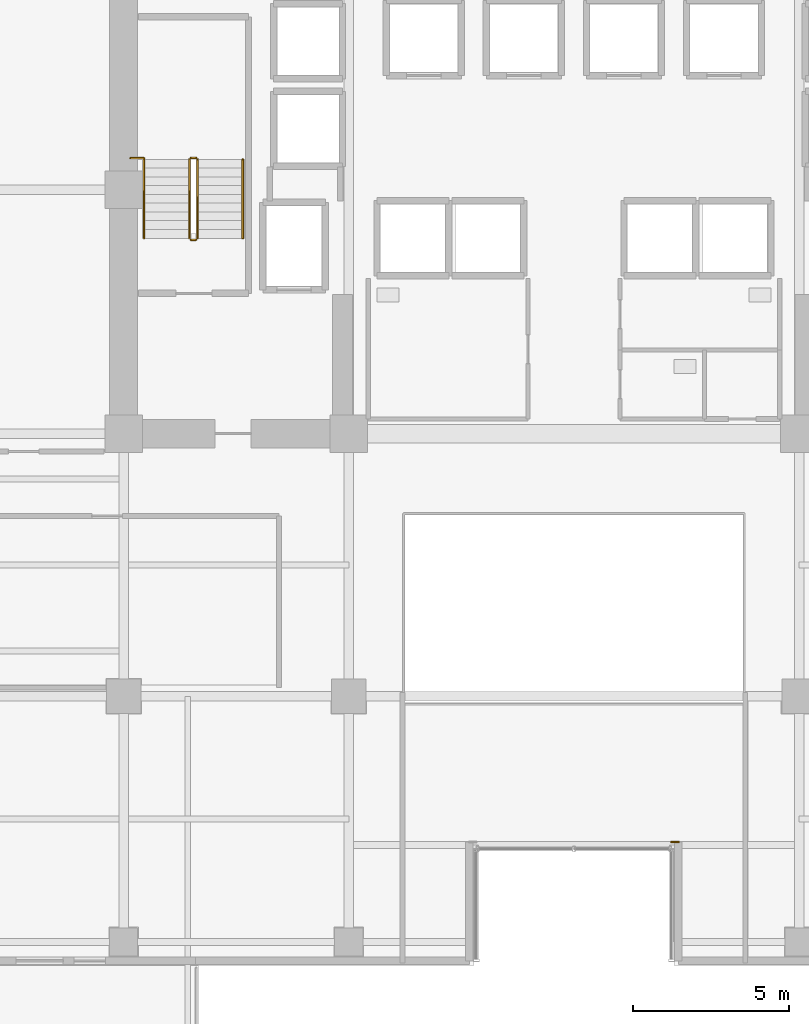
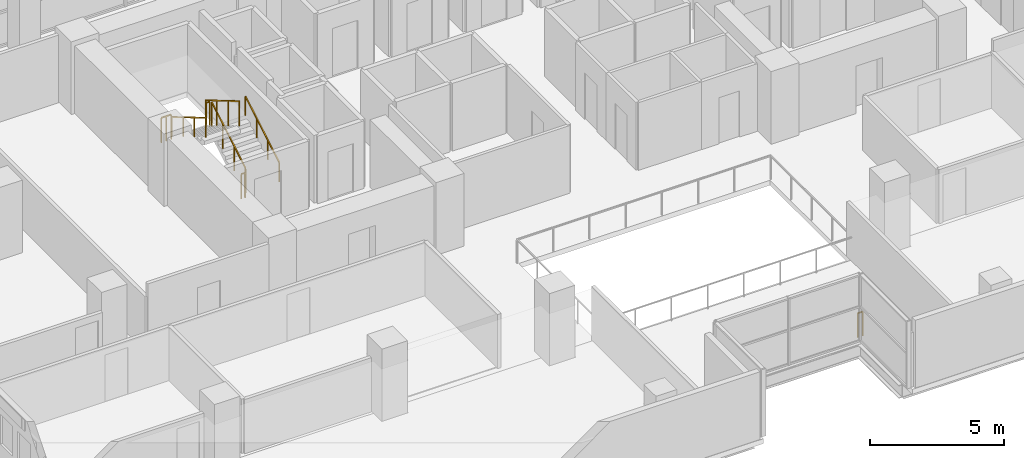
# One storey, part 29 of 32: 8 railings.
"""IFC4 building model written with IfcOpenShell, lengths in metres."""

import ifcopenshell
import ifcopenshell.guid

model = None  # the IFC model being written
_history = None  # IfcOwnerHistory: only IFC2X3 demands one
_inside = {}  # id of a spatial element -> (the spatial element, [elements in it])
_under = {}  # id of a project, library or spatial element -> (it, [spatial elements below it])
_declared = {}  # id of a project -> (the project, [libraries it declares])
_typed = {}  # id of a type object -> (the type object, [elements of that type])
_made_of = {}  # id of a material, layer set ... -> (it, [elements and type objects made of it])


def new_model(schema):
    """Start an empty IFC model of exactly this schema.

    Asked for "IFC4X3", IfcOpenShell would pick the latest addendum, in which some entities
    have other attributes; the version numbers below select the first issue.
    IFC2X3 requires an IfcOwnerHistory on every rooted entity: one is made here for all.
    """
    global model, _history
    if schema == "IFC4X3":
        model = ifcopenshell.file(schema_version=(4, 3, 0, 0))
    else:
        model = ifcopenshell.file(schema=schema)
    _inside.clear()
    _under.clear()
    _declared.clear()
    _typed.clear()
    _made_of.clear()
    _history = None
    if model.schema == "IFC2X3":
        org = make("IfcOrganization", Name="unknown")
        user = make(
            "IfcPersonAndOrganization",
            ThePerson=make("IfcPerson", FamilyName="unknown"),
            TheOrganization=org,
        )
        app = make(
            "IfcApplication",
            ApplicationDeveloper=org,
            Version="unknown",
            ApplicationFullName="unknown",
            ApplicationIdentifier="unknown",
        )
        _history = make(
            "IfcOwnerHistory",
            OwningUser=user,
            OwningApplication=app,
            ChangeAction="ADDED",
            CreationDate=0,
        )
    return model


def make(cls, **values):
    """One entity of the class cls with the attributes given. An attribute that is None is left unset."""
    return model.create_entity(
        cls, **{name: value for name, value in values.items() if value is not None}
    )


def rooted(cls, **values):
    """An entity with a GlobalId (a new one), such as an element, a storey or a relation."""
    return make(cls, GlobalId=ifcopenshell.guid.new(), OwnerHistory=_history, **values)


def si_unit(unit_type, name, prefix=None):
    """IfcSIUnit, for example si_unit("LENGTHUNIT", "METRE", prefix="MILLI")."""
    return make("IfcSIUnit", UnitType=unit_type, Prefix=prefix, Name=name)


def assignment(units):
    """IfcUnitAssignment: the units of a project."""
    return None if units is None else make("IfcUnitAssignment", Units=units)


def point(xyz):
    """IfcCartesianPoint."""
    return None if xyz is None else make("IfcCartesianPoint", Coordinates=xyz)


def direction(xyz):
    """IfcDirection."""
    return None if xyz is None else make("IfcDirection", DirectionRatios=xyz)


def frame(location, z_axis=None, x_axis=None):
    """IfcAxis2Placement3D, a coordinate frame: its origin and axes. An axis left out is left unset."""
    return make(
        "IfcAxis2Placement3D",
        Location=point(location),
        Axis=direction(z_axis),
        RefDirection=direction(x_axis),
    )


def frame_2d(location, x_axis=None):
    """IfcAxis2Placement2D, a coordinate frame in the plane: its origin and x axis."""
    return make(
        "IfcAxis2Placement2D", Location=point(location), RefDirection=direction(x_axis)
    )


def origin():
    """The frame at (0, 0, 0) with its axes left unset."""
    return frame((0.0, 0.0, 0.0))


def origin_2d():
    """The frame at (0, 0) in the plane with its x axis left unset."""
    return frame_2d((0.0, 0.0))


def place(relative_to, where):
    """IfcLocalPlacement: puts the frame where relative to a parent placement (None: the world)."""
    return make(
        "IfcLocalPlacement", PlacementRelTo=relative_to, RelativePlacement=where
    )


def context(
    kind, dimensions, precision=None, world=None, true_north=None, identifier=None
):
    """IfcGeometricRepresentationContext, for example the 3D "Model" context."""
    return make(
        "IfcGeometricRepresentationContext",
        ContextIdentifier=identifier,
        ContextType=kind,
        CoordinateSpaceDimension=dimensions,
        Precision=precision,
        WorldCoordinateSystem=world,
        TrueNorth=true_north,
    )


def subcontext(parent, identifier, kind, view, scale=None):
    """IfcGeometricRepresentationSubContext, for example "Body" below "Model"."""
    return make(
        "IfcGeometricRepresentationSubContext",
        ContextIdentifier=identifier,
        ContextType=kind,
        ParentContext=parent,
        TargetScale=scale,
        TargetView=view,
    )


def project(units=None, contexts=None):
    """IfcProject with its units and contexts."""
    return rooted(
        "IfcProject",
        Name="project",
        RepresentationContexts=contexts,
        UnitsInContext=assignment(units),
    )


def spatial(cls, under=None, at=None, **own):
    """A site, building, storey or space (cls), placed at a placement, below another one or the project."""
    s = rooted(cls, ObjectPlacement=at, **own)
    if under is not None:
        _under.setdefault(under.id(), (under, []))[1].append(s)
    return s


def profile(cls, at=None, kind="AREA", **sizes):
    """A parametric profile (cls). Its sizes go by their IFC names, for example OverallWidth=200.0."""
    return make(cls, ProfileType=kind, Position=at, **sizes)


def rectangle(**sizes):
    """IfcRectangleProfileDef."""
    return profile("IfcRectangleProfileDef", **sizes)


def extrude(swept, where, along, depth):
    """IfcExtrudedAreaSolid: the profile swept, set in the frame where, extruded along a direction by depth."""
    return make(
        "IfcExtrudedAreaSolid",
        SweptArea=swept,
        Position=where,
        ExtrudedDirection=direction(along),
        Depth=depth,
    )


def shape(context_of_items, identifier, shape_type, items):
    """IfcShapeRepresentation: the items that make up one representation, for example the "Body"."""
    return make(
        "IfcShapeRepresentation",
        ContextOfItems=context_of_items,
        RepresentationIdentifier=identifier,
        RepresentationType=shape_type,
        Items=items,
    )


def material(Name=None, Category=None):
    """IfcMaterial."""
    return make("IfcMaterial", Name=Name, Category=Category)


def made_of(thing, what):
    """Note that an element or type object is made of a material, layer set ...; save() writes the relation."""
    if what is not None:
        _made_of.setdefault(what.id(), (what, []))[1].append(thing)
    return thing


def type_object(cls, material=None, **own):
    """A type object (cls), such as IfcWallType, which elements share."""
    return made_of(rooted(cls, **own), material)


def element(
    cls,
    number,
    at=None,
    inside=None,
    cuts=None,
    type_object=None,
    material=None,
    context=None,
    identifier="Body",
    shape_type=None,
    held_by="IfcProductDefinitionShape",
    body=None,
    shapes=None,
    **own,
):
    """One element of the class cls, such as IfcWall. Its Tag is "e" and its number.

    at: its placement. inside: the storey or other place that contains it. cuts: it is an
    opening in that element (IfcRelVoidsElement). A single representation is given by context,
    identifier, shape_type and body (its items); several are given by shapes. held_by: the class
    of the entity that holds the representations. save() writes the other relations.
    """
    e = rooted(cls, Tag="e%d" % number, ObjectPlacement=at, **own)
    if body is not None:
        shapes = [shape(context, identifier, shape_type, body)]
    if shapes is not None:
        e.Representation = make(held_by, Representations=shapes)
    if inside is not None:
        _inside.setdefault(inside.id(), (inside, []))[1].append(e)
    if cuts is not None:
        rooted(
            "IfcRelVoidsElement", RelatingBuildingElement=cuts, RelatedOpeningElement=e
        )
    if type_object is not None:
        _typed.setdefault(type_object.id(), (type_object, []))[1].append(e)
    return made_of(e, material)


def aggregate(whole, parts):
    """IfcRelAggregates: a whole, such as a stair, and the parts it consists of."""
    return rooted("IfcRelAggregates", RelatingObject=whole, RelatedObjects=parts)


def save(model, path):
    """Write the relations noted so far, then the file.

    IfcRelAggregates (storeys below a building ...), IfcRelContainedInSpatialStructure (elements
    in a storey), IfcRelDefinesByType, IfcRelAssociatesMaterial and IfcRelDeclares: one each for
    every whole, place, type object, material and project.
    """
    for whole, parts in _under.values():
        aggregate(whole, parts)
    for where, things in _inside.values():
        rooted(
            "IfcRelContainedInSpatialStructure",
            RelatedElements=things,
            RelatingStructure=where,
        )
    for kind, things in _typed.values():
        rooted("IfcRelDefinesByType", RelatedObjects=things, RelatingType=kind)
    for what, things in _made_of.values():
        rooted("IfcRelAssociatesMaterial", RelatedObjects=things, RelatingMaterial=what)
    for by, libraries in _declared.values():
        rooted("IfcRelDeclares", RelatingContext=by, RelatedDefinitions=libraries)
    model.write(path)


model = new_model("IFC4")

# Units and contexts
model_context = context("Model", 3, precision=1e-05, world=origin(), true_north=direction((0.0, 1.0)))
body_context = subcontext(model_context, "Body", "Model", "MODEL_VIEW")
ifc_project = project(units=[si_unit("LENGTHUNIT", "METRE"), si_unit("AREAUNIT", "SQUARE_METRE"), si_unit("VOLUMEUNIT", "CUBIC_METRE"), si_unit("PLANEANGLEUNIT", "RADIAN"), si_unit("MASSUNIT", "GRAM", prefix="KILO")], contexts=[model_context])

# Site, building, storey
site_placement = place(None, origin())
site = spatial("IfcSite", under=ifc_project, at=site_placement, CompositionType="ELEMENT")
building_placement = place(site_placement, origin())
building = spatial("IfcBuilding", under=site, at=building_placement, Name="Zarnakvel Exchange Tower", CompositionType="ELEMENT")
storey_placement = place(building_placement, frame((0.0, 0.0, 73.60009765625)))
storey = spatial("IfcBuildingStorey", under=building, at=storey_placement, Name="L20", CompositionType="ELEMENT", Elevation=73.60009765625)

# Railings
ifc_material_1 = material(Name="Architectural Bronze Anodised Aluminium", Category="aluminium")
railing_type_1 = type_object("IfcRailingType", Name="GR-02", PredefinedType="GUARDRAIL", material=ifc_material_1)
railing_1_placement = place(storey_placement, frame((3.340087890625, -14.260009765625, 0.0)))
element("IfcRailing", 1, at=railing_1_placement, inside=storey, type_object=railing_type_1, Name="L20 Corner Spandrel Balustrade #18", PredefinedType="GUARDRAIL", context=body_context, shape_type="SweptSolid", body=[
    extrude(rectangle(XDim=0.048095703125, YDim=0.048095703125, at=origin_2d()), frame((0.0, 0.0, 1.09619140625), z_axis=(-1.0, 0.0, 0.0), x_axis=(0.0, -1.0, 0.0)), (0.0, 0.0, 1.0), 0.219970703125),
    extrude(rectangle(XDim=0.0419921875, YDim=0.0419921875, at=origin_2d()), origin(), (0.0, 0.0, 1.0), 1.072021484375),
    extrude(rectangle(XDim=0.0419921875, YDim=0.0419921875, at=origin_2d()), frame((-0.219970703125, 0.0, 0.0)), (0.0, 0.0, 1.0), 1.072021484375),
])
ifc_material_2 = material(Name="Brushed Stainless Steel", Category="steel")
railing_type_2 = type_object("IfcRailingType", Name="HR-01", PredefinedType="HANDRAIL", material=ifc_material_2)
railing_2_placement = place(storey_placement, frame((-10.590087890625, 5.050048828125, 0.164794921875)))
element("IfcRailing", 2, at=railing_2_placement, inside=storey, type_object=railing_type_2, Name="L20 ST-01 stair handrail 1", PredefinedType="HANDRAIL", context=body_context, shape_type="SweptSolid", body=[
    extrude(rectangle(XDim=0.048095703125, YDim=0.048095703125, at=origin_2d()), frame((0.0, 0.0, 0.8759765625), z_axis=(0.0, 0.86152411907, 0.507716645641), x_axis=(-1.0, 0.0, 0.0)), (0.0, 0.0, 1.0), 2.925048828125),
    extrude(rectangle(XDim=0.0419921875, YDim=0.0419921875, at=origin_2d()), origin(), (0.0, 0.0, 1.0), 0.851806640625),
    extrude(rectangle(XDim=0.0419921875, YDim=0.0419921875, at=origin_2d()), frame((0.0, 0.840087890625, 0.4951171875)), (0.0, 0.0, 1.0), 0.851806640625),
    extrude(rectangle(XDim=0.0419921875, YDim=0.0419921875, at=origin_2d()), frame((0.0, 1.679931640625, 0.989990234375)), (0.0, 0.0, 1.0), 0.851806640625),
    extrude(rectangle(XDim=0.0419921875, YDim=0.0419921875, at=origin_2d()), frame((0.0, 2.52001953125, 1.485107421875)), (0.0, 0.0, 1.0), 0.851806640625),
])
railing_3_placement = place(storey_placement, frame((-13.75, 7.570068359375, 1.81494140625)))
element("IfcRailing", 3, at=railing_3_placement, inside=storey, type_object=railing_type_2, Name="L20 ST-01 stair handrail 2", PredefinedType="HANDRAIL", context=body_context, shape_type="SweptSolid", body=[
    extrude(rectangle(XDim=0.048095703125, YDim=0.048095703125, at=origin_2d()), frame((0.0, 0.0, 0.8759765625), z_axis=(0.0, -0.861560626758, 0.507654692109), x_axis=(1.0, 0.0, 0.0)), (0.0, 0.0, 1.0), 2.925048828125),
    extrude(rectangle(XDim=0.0419921875, YDim=0.0419921875, at=origin_2d()), origin(), (0.0, 0.0, 1.0), 0.851806640625),
    extrude(rectangle(XDim=0.0419921875, YDim=0.0419921875, at=origin_2d()), frame((0.0, -0.840087890625, 0.494873046875)), (0.0, 0.0, 1.0), 0.851806640625),
    extrude(rectangle(XDim=0.0419921875, YDim=0.0419921875, at=origin_2d()), frame((0.0, -1.679931640625, 0.989990234375)), (0.0, 0.0, 1.0), 0.851806640625),
    extrude(rectangle(XDim=0.0419921875, YDim=0.0419921875, at=origin_2d()), frame((0.0, -2.52001953125, 1.48486328125)), (0.0, 0.0, 1.0), 0.851806640625),
])
railing_type_3 = type_object("IfcRailingType", Name="SG-01", PredefinedType="GUARDRAIL", material=ifc_material_1)
railing_4_placement = place(storey_placement, frame((-12.0400390625, 5.050048828125, 0.164794921875)))
element("IfcRailing", 4, at=railing_4_placement, inside=storey, type_object=railing_type_3, Name="L20 ST-01 stair guard 1", PredefinedType="GUARDRAIL", context=body_context, shape_type="SweptSolid", body=[
    extrude(rectangle(XDim=0.048095703125, YDim=0.048095703125, at=origin_2d()), frame((0.0, 0.0, 1.1259765625), z_axis=(0.0, 0.86152411907, 0.507716645641), x_axis=(-1.0, 0.0, 0.0)), (0.0, 0.0, 1.0), 2.925048828125),
    extrude(rectangle(XDim=0.0419921875, YDim=0.0419921875, at=origin_2d()), origin(), (0.0, 0.0, 1.0), 1.101806640625),
    extrude(rectangle(XDim=0.0419921875, YDim=0.0419921875, at=origin_2d()), frame((0.0, 0.840087890625, 0.4951171875)), (0.0, 0.0, 1.0), 1.101806640625),
    extrude(rectangle(XDim=0.0419921875, YDim=0.0419921875, at=origin_2d()), frame((0.0, 1.679931640625, 0.989990234375)), (0.0, 0.0, 1.0), 1.101806640625),
    extrude(rectangle(XDim=0.0419921875, YDim=0.0419921875, at=origin_2d()), frame((0.0, 2.52001953125, 1.485107421875)), (0.0, 0.0, 1.0), 1.101806640625),
])
railing_5_placement = place(storey_placement, frame((-12.090087890625, 7.6201171875, 1.64990234375)))
element("IfcRailing", 5, at=railing_5_placement, inside=storey, type_object=railing_type_3, Name="L20 ST-01 stair guard 2", PredefinedType="GUARDRAIL", context=body_context, shape_type="SweptSolid", body=[
    extrude(rectangle(XDim=0.048095703125, YDim=0.048095703125, at=origin_2d()), frame((0.0, 0.0, 1.1259765625), z_axis=(-1.0, 0.0, 0.0), x_axis=(0.0, -1.0, 0.0)), (0.0, 0.0, 1.0), 0.159912109375),
    extrude(rectangle(XDim=0.0419921875, YDim=0.0419921875, at=origin_2d()), origin(), (0.0, 0.0, 1.0), 1.101806640625),
    extrude(rectangle(XDim=0.0419921875, YDim=0.0419921875, at=origin_2d()), frame((-0.159912109375, 0.0, 0.0)), (0.0, 0.0, 1.0), 1.101806640625),
])
railing_6_placement = place(storey_placement, frame((-12.300048828125, 7.570068359375, 1.81494140625)))
element("IfcRailing", 6, at=railing_6_placement, inside=storey, type_object=railing_type_3, Name="L20 ST-01 stair guard 3", PredefinedType="GUARDRAIL", context=body_context, shape_type="SweptSolid", body=[
    extrude(rectangle(XDim=0.048095703125, YDim=0.048095703125, at=origin_2d()), frame((0.0, 0.0, 1.1259765625), z_axis=(0.0, -0.861560626758, 0.507654692109), x_axis=(1.0, 0.0, 0.0)), (0.0, 0.0, 1.0), 2.925048828125),
    extrude(rectangle(XDim=0.0419921875, YDim=0.0419921875, at=origin_2d()), origin(), (0.0, 0.0, 1.0), 1.101806640625),
    extrude(rectangle(XDim=0.0419921875, YDim=0.0419921875, at=origin_2d()), frame((0.0, -0.840087890625, 0.494873046875)), (0.0, 0.0, 1.0), 1.101806640625),
    extrude(rectangle(XDim=0.0419921875, YDim=0.0419921875, at=origin_2d()), frame((0.0, -1.679931640625, 0.989990234375)), (0.0, 0.0, 1.0), 1.101806640625),
    extrude(rectangle(XDim=0.0419921875, YDim=0.0419921875, at=origin_2d()), frame((0.0, -2.52001953125, 1.48486328125)), (0.0, 0.0, 1.0), 1.101806640625),
])
railing_7_placement = place(storey_placement, frame((-12.090087890625, 5.0, 0.0)))
element("IfcRailing", 7, at=railing_7_placement, inside=storey, type_object=railing_type_3, Name="L20 ST-01 stair guard 4", PredefinedType="GUARDRAIL", context=body_context, shape_type="SweptSolid", body=[
    extrude(rectangle(XDim=0.048095703125, YDim=0.048095703125, at=origin_2d()), frame((0.0, 0.0, 1.1259765625), z_axis=(-1.0, 0.0, 0.0), x_axis=(0.0, -1.0, 0.0)), (0.0, 0.0, 1.0), 0.159912109375),
    extrude(rectangle(XDim=0.0419921875, YDim=0.0419921875, at=origin_2d()), origin(), (0.0, 0.0, 1.0), 1.101806640625),
    extrude(rectangle(XDim=0.0419921875, YDim=0.0419921875, at=origin_2d()), frame((-0.159912109375, 0.0, 0.0)), (0.0, 0.0, 1.0), 1.101806640625),
])
railing_8_placement = place(storey_placement, frame((-14.179931640625, 7.610107421875, 1.64990234375)))
element("IfcRailing", 8, at=railing_8_placement, inside=storey, type_object=railing_type_3, Name="L20 ST-01 Landing Slot Guardrail", PredefinedType="GUARDRAIL", context=body_context, shape_type="SweptSolid", body=[
    extrude(rectangle(XDim=0.048095703125, YDim=0.048095703125, at=origin_2d()), frame((0.0, 0.0, 1.1259765625), z_axis=(1.0, 0.0, 0.0), x_axis=(0.0, 1.0, 0.0)), (0.0, 0.0, 1.0), 0.429931640625),
    extrude(rectangle(XDim=0.0419921875, YDim=0.0419921875, at=origin_2d()), origin(), (0.0, 0.0, 1.0), 1.101806640625),
    extrude(rectangle(XDim=0.0419921875, YDim=0.0419921875, at=origin_2d()), frame((0.21484375, 0.0, 0.0)), (0.0, 0.0, 1.0), 1.101806640625),
    extrude(rectangle(XDim=0.0419921875, YDim=0.0419921875, at=origin_2d()), frame((0.429931640625, 0.0, 0.0)), (0.0, 0.0, 1.0), 1.101806640625),
])

save(model, "model.ifc")
